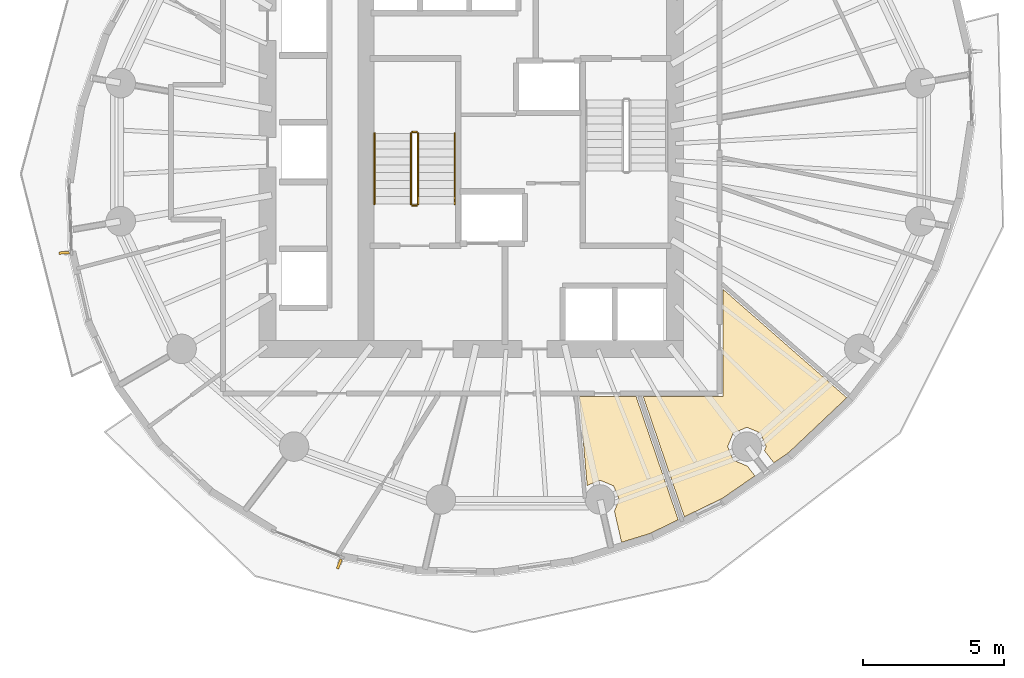
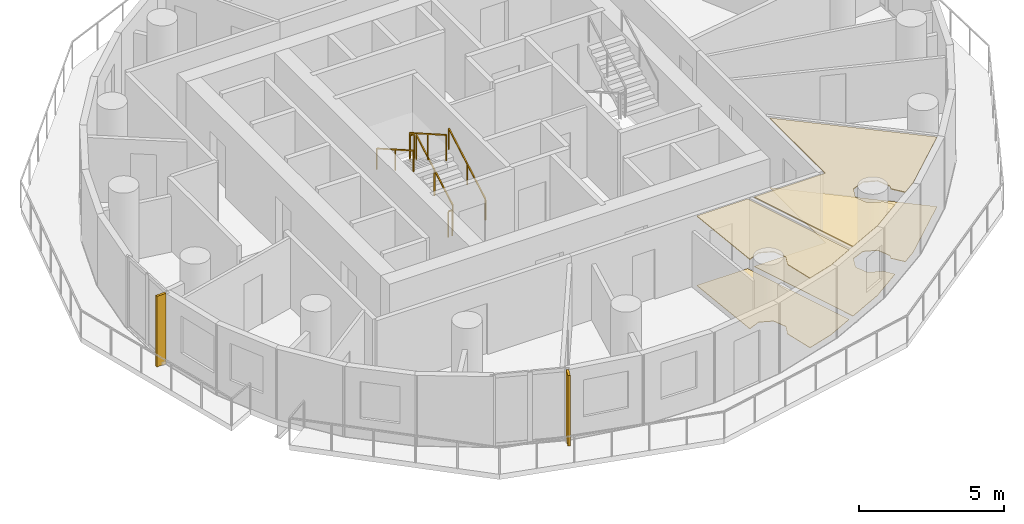
# One storey, part 10 of 14: 6 railings, 4 coverings, 2 shading devices.
"""IFC4 building model written with IfcOpenShell, lengths in metres."""

from ifc_helpers import new_model, si_unit, direction, frame, origin, origin_2d, place, context, subcontext, project, spatial, polyline, rectangle, outline, extrude, material, layer, layer_set, type_object, element, save


model = new_model("IFC4")

# Units and contexts
model_context = context("Model", 3, precision=1e-05, world=origin(), true_north=direction((0.0, 1.0)))
body_context = subcontext(model_context, "Body", "Model", "MODEL_VIEW")
ifc_project = project(units=[si_unit("LENGTHUNIT", "METRE"), si_unit("AREAUNIT", "SQUARE_METRE"), si_unit("VOLUMEUNIT", "CUBIC_METRE"), si_unit("PLANEANGLEUNIT", "RADIAN"), si_unit("MASSUNIT", "GRAM", prefix="KILO")], contexts=[model_context])

# Site, building, storey
site_placement = place(None, origin())
site = spatial("IfcSite", under=ifc_project, at=site_placement, CompositionType="ELEMENT")
building_placement = place(site_placement, origin())
building = spatial("IfcBuilding", under=site, at=building_placement, Name="Veldorim Arch Residences", CompositionType="ELEMENT")
storey_placement = place(building_placement, frame((0.0, 0.0, 123.360107421875)))
storey = spatial("IfcBuildingStorey", under=building, at=storey_placement, Name="L36", CompositionType="ELEMENT", Elevation=123.360107421875)

# Railings
ifc_material_1 = material(Name="Steel S355", Category="steel")
railing_type_1 = type_object("IfcRailingType", Name="Galvanised Steel Stair Safety Guardrail 1100", PredefinedType="GUARDRAIL", material=ifc_material_1)
railing_1_placement = place(storey_placement, frame((28.360107421875, 22.14990234375, 0.159912109375)))
element("IfcRailing", 1, at=railing_1_placement, inside=storey, type_object=railing_type_1, Name="L36 ST-1 stair guard 1", PredefinedType="GUARDRAIL", context=body_context, shape_type="SweptSolid", body=[
    extrude(rectangle(XDim=0.048095703125, YDim=0.048095703125, at=origin_2d()), frame((0.0, 0.0, 1.076171875), z_axis=(0.0, 0.868253494771, 0.496120820787), x_axis=(-1.0, 0.0, 0.0)), (0.0, 0.0, 1.0), 2.90234375),
    extrude(rectangle(XDim=0.0419921875, YDim=0.0419921875, at=origin_2d()), origin(), (0.0, 0.0, 1.0), 1.052001953125),
    extrude(rectangle(XDim=0.0419921875, YDim=0.0419921875, at=origin_2d()), frame((0.0, 1.260009765625, 0.719970703125)), (0.0, 0.0, 1.0), 1.052001953125),
    extrude(rectangle(XDim=0.0419921875, YDim=0.0419921875, at=origin_2d()), frame((0.0, 2.52001953125, 1.43994140625)), (0.0, 0.0, 1.0), 1.052001953125),
])
railing_2_placement = place(storey_placement, frame((28.31005859375, 24.719970703125, 1.599853515625)))
element("IfcRailing", 2, at=railing_2_placement, inside=storey, type_object=railing_type_1, Name="L36 ST-1 stair guard 2", PredefinedType="GUARDRAIL", context=body_context, shape_type="SweptSolid", body=[
    extrude(rectangle(XDim=0.048095703125, YDim=0.048095703125, at=origin_2d()), frame((0.0, 0.0, 1.076171875), z_axis=(-1.0, 0.0, 0.0), x_axis=(0.0, -1.0, 0.0)), (0.0, 0.0, 1.0), 0.16015625),
    extrude(rectangle(XDim=0.0419921875, YDim=0.0419921875, at=origin_2d()), origin(), (0.0, 0.0, 1.0), 1.052001953125),
    extrude(rectangle(XDim=0.0419921875, YDim=0.0419921875, at=origin_2d()), frame((-0.16015625, 0.0, 0.0)), (0.0, 0.0, 1.0), 1.052001953125),
])
railing_3_placement = place(storey_placement, frame((28.10009765625, 24.669921875, 1.760009765625)))
element("IfcRailing", 3, at=railing_3_placement, inside=storey, type_object=railing_type_1, Name="L36 ST-1 stair guard 3", PredefinedType="GUARDRAIL", context=body_context, shape_type="SweptSolid", body=[
    extrude(rectangle(XDim=0.048095703125, YDim=0.048095703125, at=origin_2d()), frame((0.0, 0.0, 1.076171875), z_axis=(0.0, -0.868253494771, 0.496120820787), x_axis=(1.0, 0.0, 0.0)), (0.0, 0.0, 1.0), 2.90234375),
    extrude(rectangle(XDim=0.0419921875, YDim=0.0419921875, at=origin_2d()), origin(), (0.0, 0.0, 1.0), 1.052001953125),
    extrude(rectangle(XDim=0.0419921875, YDim=0.0419921875, at=origin_2d()), frame((0.0, -1.260009765625, 0.719970703125)), (0.0, 0.0, 1.0), 1.052001953125),
    extrude(rectangle(XDim=0.0419921875, YDim=0.0419921875, at=origin_2d()), frame((0.0, -2.52001953125, 1.43994140625)), (0.0, 0.0, 1.0), 1.052001953125),
])
railing_4_placement = place(storey_placement, frame((28.31005859375, 22.10009765625, 0.0)))
element("IfcRailing", 4, at=railing_4_placement, inside=storey, type_object=railing_type_1, Name="L36 ST-1 stair guard 4", PredefinedType="GUARDRAIL", context=body_context, shape_type="SweptSolid", body=[
    extrude(rectangle(XDim=0.048095703125, YDim=0.048095703125, at=origin_2d()), frame((0.0, 0.0, 1.076171875), z_axis=(-1.0, 0.0, 0.0), x_axis=(0.0, -1.0, 0.0)), (0.0, 0.0, 1.0), 0.16015625),
    extrude(rectangle(XDim=0.0419921875, YDim=0.0419921875, at=origin_2d()), origin(), (0.0, 0.0, 1.0), 1.052001953125),
    extrude(rectangle(XDim=0.0419921875, YDim=0.0419921875, at=origin_2d()), frame((-0.16015625, 0.0, 0.0)), (0.0, 0.0, 1.0), 1.052001953125),
])

# Coverings
ifc_material_2 = material(Name="Acoustic Gypsum & Mineral Fibre", Category="gypsum")
ifc_layer_1 = layer(ifc_material_2, 0.034912109375, Name="Perforated Acoustic Mineral-Fibre Ceiling 35")
ifc_layer_set_1 = layer_set([ifc_layer_1], Name="Acoustic Gypsum & Mineral Fibre")
covering_type_1 = type_object("IfcCoveringType", Name="Perforated Acoustic Mineral-Fibre Ceiling 35", PredefinedType="CEILING", material=ifc_layer_set_1)
covering_1_placement = place(storey_placement, frame((0.0, 0.0, 2.90478515625)))
element("IfcCovering", 5, at=covering_1_placement, inside=storey, type_object=covering_type_1, Name="L36 acoustic suspended ceiling 01", PredefinedType="CEILING", context=body_context, shape_type="SweptSolid", body=[
    extrude(outline(polyline([(40.341552734375, 12.481201171875), (39.181396484375, 11.68115234375), (37.830078125, 11.025390625), (36.368896484375, 15.300048828125), (39.199951171875, 15.300048828125), (39.199951171875, 19.126708984375), (43.610595703125, 15.26171875), (41.542724609375, 13.3095703125), (41.015380859375, 12.946044921875), (40.681396484375, 13.38037109375), (40.74072265625, 13.5234375), (40.5400390625, 14.0078125), (40.055908203125, 14.20849609375), (39.571533203125, 14.0078125), (39.370849609375, 13.5234375), (39.571533203125, 13.039306640625), (40.055908203125, 12.838623046875), (40.064208984375, 12.842041015625), (40.341552734375, 12.481201171875)])), origin(), (0.0, 0.0, 1.0), 0.03515625),
])
covering_2_placement = place(storey_placement, frame((0.0, 0.0, 2.90478515625)))
element("IfcCovering", 6, at=covering_2_placement, inside=storey, type_object=covering_type_1, Name="L36 acoustic suspended ceiling 02", PredefinedType="CEILING", context=body_context, shape_type="SweptSolid", body=[
    extrude(outline(polyline([(34.094482421875, 15.300048828125), (36.115234375, 15.300048828125), (37.61279296875, 10.919677734375), (36.6005859375, 10.428466796875), (35.5966796875, 10.119140625), (35.342529296875, 11.229248046875), (35.513671875, 11.64208984375), (35.31298828125, 12.12646484375), (34.828857421875, 12.326904296875), (34.373779296875, 12.138671875), (34.094482421875, 15.300048828125)])), origin(), (0.0, 0.0, 1.0), 0.03515625),
])
ifc_material_3 = material(Name="Porcelain Ceramic Tile", Category="ceramic")
ifc_layer_2 = layer(ifc_material_3, 0.02001953125, Name="Slip-Resistant Porcelain & Vinyl Floor Finish 20")
ifc_layer_set_2 = layer_set([ifc_layer_2], Name="Porcelain Ceramic Tile")
covering_type_2 = type_object("IfcCoveringType", Name="Slip-Resistant Porcelain & Vinyl Floor Finish 20", PredefinedType="FLOORING", material=ifc_layer_set_2)
covering_3_placement = place(storey_placement, origin())
element("IfcCovering", 7, at=covering_3_placement, inside=storey, type_object=covering_type_2, Name="L36 porcelain floor finish 01", PredefinedType="FLOORING", context=body_context, shape_type="SweptSolid", body=[
    extrude(outline(polyline([(40.341552734375, 12.481201171875), (39.181396484375, 11.68115234375), (37.830078125, 11.025390625), (36.368896484375, 15.300048828125), (39.199951171875, 15.300048828125), (39.199951171875, 19.126708984375), (43.610595703125, 15.26171875), (41.542724609375, 13.3095703125), (41.015380859375, 12.946044921875), (40.681396484375, 13.38037109375), (40.74072265625, 13.5234375), (40.5400390625, 14.0078125), (40.055908203125, 14.20849609375), (39.571533203125, 14.0078125), (39.370849609375, 13.5234375), (39.571533203125, 13.039306640625), (40.055908203125, 12.838623046875), (40.064208984375, 12.842041015625), (40.341552734375, 12.481201171875)])), origin(), (0.0, 0.0, 1.0), 0.019775390625),
])
covering_4_placement = place(storey_placement, origin())
element("IfcCovering", 8, at=covering_4_placement, inside=storey, type_object=covering_type_2, Name="L36 porcelain floor finish 02", PredefinedType="FLOORING", context=body_context, shape_type="SweptSolid", body=[
    extrude(outline(polyline([(34.094482421875, 15.300048828125), (36.115234375, 15.300048828125), (37.61279296875, 10.919677734375), (36.6005859375, 10.428466796875), (35.5966796875, 10.119140625), (35.342529296875, 11.229248046875), (35.513671875, 11.64208984375), (35.31298828125, 12.12646484375), (34.828857421875, 12.326904296875), (34.373779296875, 12.138671875), (34.094482421875, 15.300048828125)])), origin(), (0.0, 0.0, 1.0), 0.019775390625),
])

# Railings
ifc_material_4 = material(Name="Stainless Steel", Category="steel")
railing_type_2 = type_object("IfcRailingType", Name="Tubular Steel Continuous Wall Handrail 900", PredefinedType="HANDRAIL", material=ifc_material_4)
railing_5_placement = place(storey_placement, frame((29.659912109375, 22.14990234375, 0.159912109375)))
element("IfcRailing", 9, at=railing_5_placement, inside=storey, type_object=railing_type_2, Name="L36 ST-1 stair handrail 1", PredefinedType="HANDRAIL", context=body_context, shape_type="SweptSolid", body=[
    extrude(rectangle(XDim=0.048095703125, YDim=0.048095703125, at=origin_2d()), frame((0.0, 0.0, 0.8759765625), z_axis=(0.0, 0.868253494771, 0.496120820787), x_axis=(-1.0, 0.0, 0.0)), (0.0, 0.0, 1.0), 2.90234375),
    extrude(rectangle(XDim=0.0419921875, YDim=0.0419921875, at=origin_2d()), origin(), (0.0, 0.0, 1.0), 0.851806640625),
    extrude(rectangle(XDim=0.0419921875, YDim=0.0419921875, at=origin_2d()), frame((0.0, 1.260009765625, 0.719970703125)), (0.0, 0.0, 1.0), 0.851806640625),
    extrude(rectangle(XDim=0.0419921875, YDim=0.0419921875, at=origin_2d()), frame((0.0, 2.52001953125, 1.43994140625)), (0.0, 0.0, 1.0), 0.851806640625),
])
railing_6_placement = place(storey_placement, frame((26.800048828125, 24.669921875, 1.760009765625)))
element("IfcRailing", 10, at=railing_6_placement, inside=storey, type_object=railing_type_2, Name="L36 ST-1 stair handrail 2", PredefinedType="HANDRAIL", context=body_context, shape_type="SweptSolid", body=[
    extrude(rectangle(XDim=0.048095703125, YDim=0.048095703125, at=origin_2d()), frame((0.0, 0.0, 0.8759765625), z_axis=(0.0, -0.868253494771, 0.496120820787), x_axis=(1.0, 0.0, 0.0)), (0.0, 0.0, 1.0), 2.90234375),
    extrude(rectangle(XDim=0.0419921875, YDim=0.0419921875, at=origin_2d()), origin(), (0.0, 0.0, 1.0), 0.851806640625),
    extrude(rectangle(XDim=0.0419921875, YDim=0.0419921875, at=origin_2d()), frame((0.0, -1.260009765625, 0.719970703125)), (0.0, 0.0, 1.0), 0.851806640625),
    extrude(rectangle(XDim=0.0419921875, YDim=0.0419921875, at=origin_2d()), frame((0.0, -2.52001953125, 1.43994140625)), (0.0, 0.0, 1.0), 0.851806640625),
])

# Shading devices
ifc_material_5 = material(Name="Terracotta Ceramic", Category="masonry")
ifc_layer_3 = layer(ifc_material_5, 0.090087890625, Name="Vertical Extruded Terracotta Baguette Sun-Shading Fin")
ifc_layer_set_3 = layer_set([ifc_layer_3], Name="Terracotta Ceramic")
shading_device_type = type_object("IfcShadingDeviceType", Name="Vertical Extruded Terracotta Baguette Sun-Shading Fin", PredefinedType="USERDEFINED", material=ifc_layer_set_3)
for number, where, z_axis, x_axis, name in (
    (11, (15.765380859375, 20.416015625, 0.0), (0.0, 0.0, 1.0), (-0.035422771708, 0.999372416692, 0.0), "L36 vertical terracotta sun-shading fin 16"),
    (12, (25.552978515625, 9.343017578125, 0.0), (0.0, 0.0, 1.0), (-0.934079892355, 0.357064076459, 0.0), "L36 vertical terracotta sun-shading fin 22"),
):
    element("IfcShadingDevice", number, at=place(storey_placement, frame(where, z_axis=z_axis, x_axis=x_axis)), inside=storey, type_object=shading_device_type, Name=name, ObjectType="FIN", PredefinedType="USERDEFINED", context=body_context, shape_type="SweptSolid", body=[
        extrude(rectangle(XDim=0.090087890625, YDim=0.360107421875, at=origin_2d()), origin(), (0.0, 0.0, 1.0), 2.9599609375),
    ])

save(model, "model.ifc")
